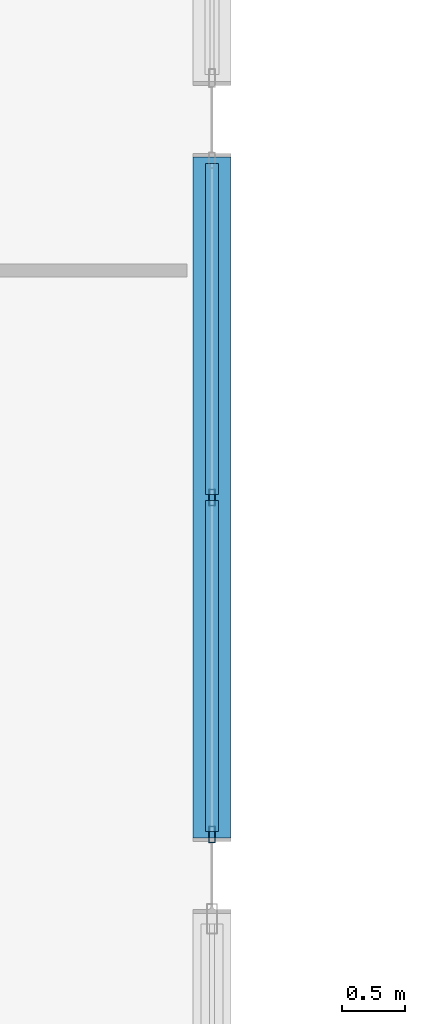
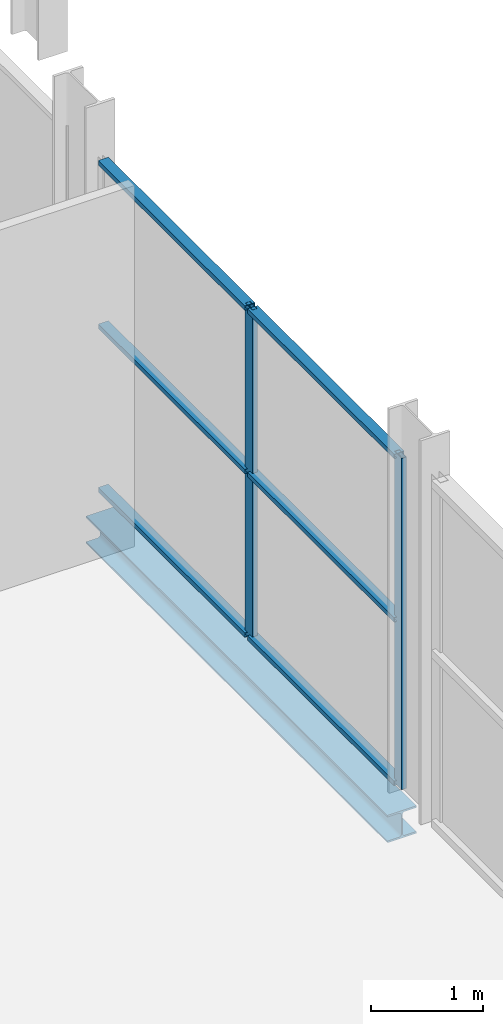
# One storey, part 36 of 140: 8 members, 1 beam, 1 element without a shape of its own.
"""IFC4 building model written with IfcOpenShell, lengths in metres."""

from ifc_helpers import new_model, si_unit, direction, frame, origin, origin_2d, place, context, subcontext, project, spatial, hollow_rectangle, i_section, extrude, material, layer, layer_set, material_profile, profile_set, type_object, element, aggregate, save


model = new_model("IFC4")

# Units and contexts
model_context = context("Model", 3, precision=1e-05, world=origin(), true_north=direction((0.0, 1.0)))
body_context = subcontext(model_context, "Body", "Model", "MODEL_VIEW")
ifc_project = project(units=[si_unit("LENGTHUNIT", "METRE"), si_unit("AREAUNIT", "SQUARE_METRE"), si_unit("VOLUMEUNIT", "CUBIC_METRE"), si_unit("PLANEANGLEUNIT", "RADIAN"), si_unit("MASSUNIT", "GRAM", prefix="KILO")], contexts=[model_context])

# Site, building, storey
site_placement = place(None, origin())
site = spatial("IfcSite", under=ifc_project, at=site_placement, CompositionType="ELEMENT")
building_placement = place(site_placement, origin())
building = spatial("IfcBuilding", under=site, at=building_placement, Name="Deido Ridge Mobility Hub", CompositionType="ELEMENT")
storey_placement = place(building_placement, origin())
storey = spatial("IfcBuildingStorey", under=building, at=storey_placement, Name="L00", CompositionType="ELEMENT", Elevation=0.0)

# Curtain wall, members
ifc_material_1 = material(Name="Anodised aluminium EN AW-6063 T6", Category="aluminium")
ifc_layer = layer(ifc_material_1, 0.179931640625, Name="Anodised aluminium EN AW-6063 T6")
ifc_layer_set = layer_set([ifc_layer], Name="Anodised aluminium EN AW-6063 T6")
curtain_wall_type = type_object("IfcCurtainWallType", Name="CW-UF-2", PredefinedType="USERDEFINED", material=ifc_layer_set)
curtain_wall_placement = place(storey_placement, origin())
curtain_wall = element("IfcCurtainWall", 1, at=curtain_wall_placement, inside=storey, type_object=curtain_wall_type, Name="Unitised curtain wall CW2", ObjectType="UNITISED FACADE", PredefinedType="USERDEFINED")
ifc_material_profile_1 = material_profile(ifc_material_1, hollow_rectangle(XDim=0.050048828125, YDim=0.1298828125, WallThickness=0.00390625, at=origin_2d()), Name="RHS 50x130x4")
ifc_profile_set_1 = profile_set([ifc_material_profile_1], Name="Anodised aluminium EN AW-6063 T6")
member_type_1 = type_object("IfcMemberType", Name="MEM-MUL-50X130", PredefinedType="MULLION", material=ifc_profile_set_1)
member_1_placement = place(storey_placement, frame((60.0, 24.324951171875, 0.0), z_axis=(0.0, 0.0, 1.0), x_axis=(-1.0, 0.0, 0.0)))
member_1 = element("IfcMember", 2, at=member_1_placement, type_object=member_type_1, Name="CW2 mullion 1", PredefinedType="MULLION", context=body_context, shape_type="SweptSolid", body=[
    extrude(hollow_rectangle(XDim=0.050048828125, YDim=0.1298828125, WallThickness=0.00390625, at=origin_2d()), origin(), (0.0, 0.0, 1.0), 3.625),
])
member_2_placement = place(storey_placement, frame((60.0, 27.0, 0.0), z_axis=(0.0, 0.0, 1.0), x_axis=(-1.0, 0.0, 0.0)))
member_2 = element("IfcMember", 3, at=member_2_placement, type_object=member_type_1, Name="CW2 mullion 2", PredefinedType="MULLION", context=body_context, shape_type="SweptSolid", body=[
    extrude(hollow_rectangle(XDim=0.050048828125, YDim=0.1298828125, WallThickness=0.00390625, at=origin_2d()), origin(), (0.0, 0.0, 1.0), 3.625),
])
ifc_material_profile_2 = material_profile(ifc_material_1, hollow_rectangle(XDim=0.10498046875, YDim=0.050048828125, WallThickness=0.00390625, at=origin_2d()), Name="RHS 105x50x4")
ifc_profile_set_2 = profile_set([ifc_material_profile_2], Name="Anodised aluminium EN AW-6063 T6")
member_type_2 = type_object("IfcMemberType", Name="MEM-TRN-105X50", PredefinedType="USERDEFINED", material=ifc_profile_set_2)
member_3_placement = place(storey_placement, frame((60.0, 24.35009765625, 0.02490234375), z_axis=(0.0, 1.0, 0.0), x_axis=(-1.0, 0.0, 0.0)))
member_3 = element("IfcMember", 4, at=member_3_placement, type_object=member_type_2, Name="CW2 transom 1.1", ObjectType="TRANSOM", PredefinedType="USERDEFINED", context=body_context, shape_type="SweptSolid", body=[
    extrude(hollow_rectangle(XDim=0.10498046875, YDim=0.050048828125, WallThickness=0.00390625, at=origin_2d()), origin(), (0.0, 0.0, 1.0), 2.625),
])
member_4_placement = place(storey_placement, frame((60.0, 24.35009765625, 1.8125), z_axis=(0.0, 1.0, 0.0), x_axis=(-1.0, 0.0, 0.0)))
member_4 = element("IfcMember", 5, at=member_4_placement, type_object=member_type_2, Name="CW2 transom 1.2", ObjectType="TRANSOM", PredefinedType="USERDEFINED", context=body_context, shape_type="SweptSolid", body=[
    extrude(hollow_rectangle(XDim=0.10498046875, YDim=0.050048828125, WallThickness=0.00390625, at=origin_2d()), origin(), (0.0, 0.0, 1.0), 2.625),
])
member_5_placement = place(storey_placement, frame((60.0, 24.35009765625, 3.60009765625), z_axis=(0.0, 1.0, 0.0), x_axis=(-1.0, 0.0, 0.0)))
member_5 = element("IfcMember", 6, at=member_5_placement, type_object=member_type_2, Name="CW2 transom 1.3", ObjectType="TRANSOM", PredefinedType="USERDEFINED", context=body_context, shape_type="SweptSolid", body=[
    extrude(hollow_rectangle(XDim=0.10498046875, YDim=0.050048828125, WallThickness=0.00390625, at=origin_2d()), origin(), (0.0, 0.0, 1.0), 2.625),
])
member_6_placement = place(storey_placement, frame((60.0, 27.02490234375, 0.02490234375), z_axis=(0.0, 1.0, 0.0), x_axis=(-1.0, 0.0, 0.0)))
member_6 = element("IfcMember", 7, at=member_6_placement, type_object=member_type_2, Name="CW2 transom 2.1", ObjectType="TRANSOM", PredefinedType="USERDEFINED", context=body_context, shape_type="SweptSolid", body=[
    extrude(hollow_rectangle(XDim=0.10498046875, YDim=0.050048828125, WallThickness=0.00390625, at=origin_2d()), origin(), (0.0, 0.0, 1.0), 2.625),
])
member_7_placement = place(storey_placement, frame((60.0, 27.02490234375, 1.8125), z_axis=(0.0, 1.0, 0.0), x_axis=(-1.0, 0.0, 0.0)))
member_7 = element("IfcMember", 8, at=member_7_placement, type_object=member_type_2, Name="CW2 transom 2.2", ObjectType="TRANSOM", PredefinedType="USERDEFINED", context=body_context, shape_type="SweptSolid", body=[
    extrude(hollow_rectangle(XDim=0.10498046875, YDim=0.050048828125, WallThickness=0.00390625, at=origin_2d()), origin(), (0.0, 0.0, 1.0), 2.625),
])
member_8_placement = place(storey_placement, frame((60.0, 27.02490234375, 3.60009765625), z_axis=(0.0, 1.0, 0.0), x_axis=(-1.0, 0.0, 0.0)))
member_8 = element("IfcMember", 9, at=member_8_placement, type_object=member_type_2, Name="CW2 transom 2.3", ObjectType="TRANSOM", PredefinedType="USERDEFINED", context=body_context, shape_type="SweptSolid", body=[
    extrude(hollow_rectangle(XDim=0.10498046875, YDim=0.050048828125, WallThickness=0.00390625, at=origin_2d()), origin(), (0.0, 0.0, 1.0), 2.625),
])
aggregate(curtain_wall, [member_1, member_2, member_3, member_4, member_5, member_6, member_7, member_8])

# Beam
ifc_material_2 = material(Name="Steel S355J2 EN 10025-2", Category="steel")
ifc_material_profile_3 = material_profile(ifc_material_2, i_section(OverallWidth=0.300048828125, OverallDepth=0.300048828125, WebThickness=0.010986328125, FlangeThickness=0.01904296875, FilletRadius=0.027099609375, at=origin_2d()), Name="HEB 300")
ifc_profile_set_3 = profile_set([ifc_material_profile_3], Name="Steel S355J2 EN 10025-2")
beam_type = type_object("IfcBeamType", Name="SPD-HEB300", PredefinedType="SPANDREL", material=ifc_profile_set_3)
beam_placement = place(storey_placement, frame((60.0, 24.300048828125, -0.409912109375), z_axis=(0.0, 1.0, 0.0), x_axis=(-1.0, 0.0, 0.0)))
element("IfcBeam", 10, at=beam_placement, inside=storey, type_object=beam_type, Name="Floor beam SP1", PredefinedType="SPANDREL", context=body_context, shape_type="SweptSolid", body=[
    extrude(i_section(OverallWidth=0.300048828125, OverallDepth=0.300048828125, WebThickness=0.010986328125, FlangeThickness=0.01904296875, FilletRadius=0.027099609375, at=origin_2d()), origin(), (0.0, 0.0, 1.0), 5.39990234375),
])

save(model, "model.ifc")
